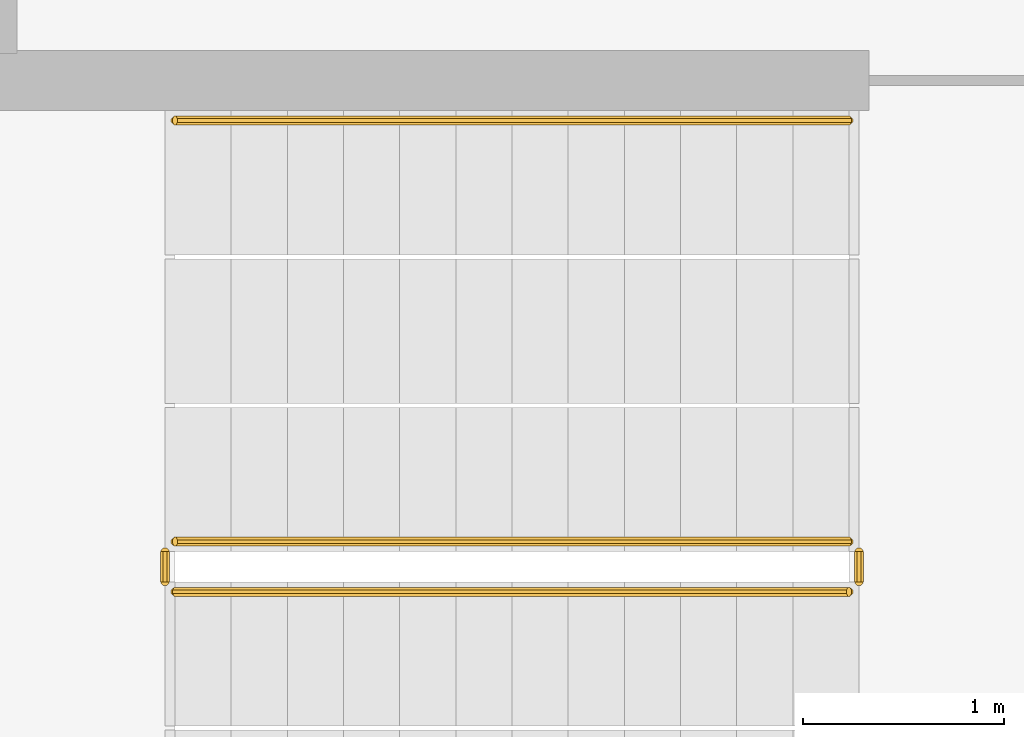
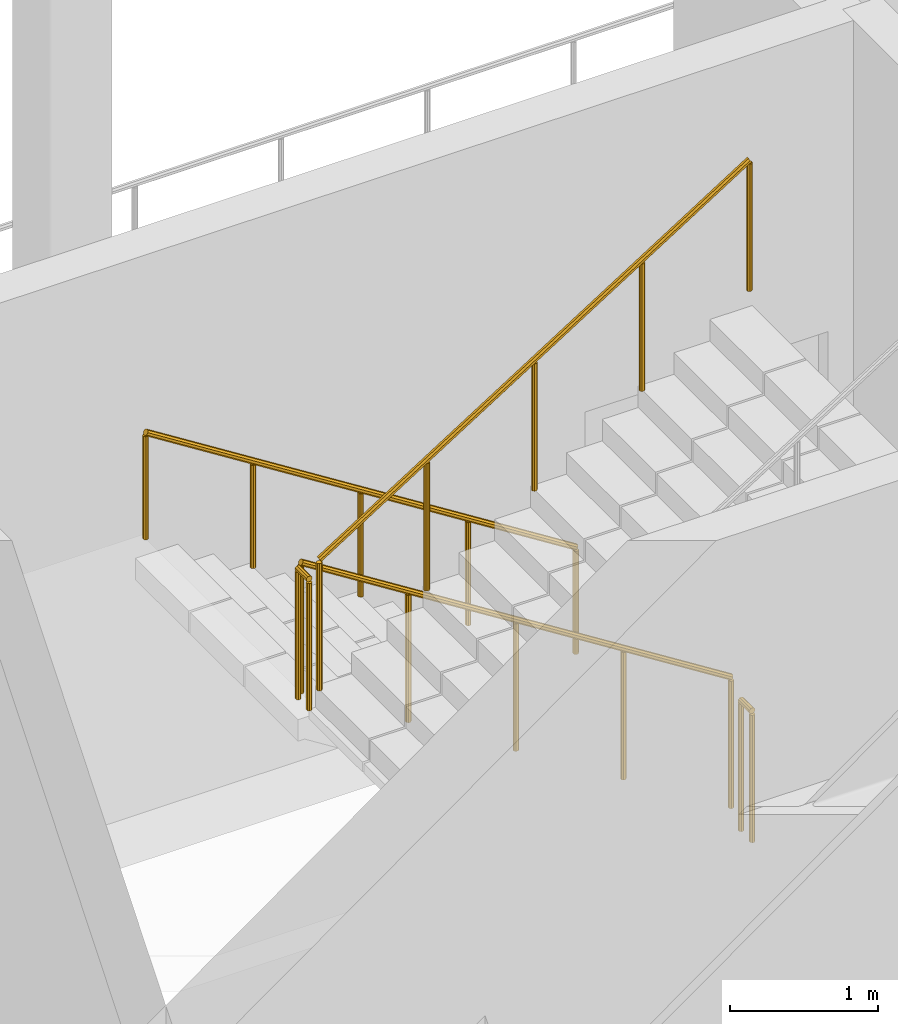
# One storey, part 23 of 32: 5 railings.
"""IFC4 building model written with IfcOpenShell, lengths in metres."""

from ifc_helpers import new_model, si_unit, direction, frame, origin, place, context, subcontext, project, spatial, polyline, outline, extrude, material, type_object, element, save


model = new_model("IFC4")

# Units and contexts
model_context = context("Model", 3, precision=1e-05, world=origin(), true_north=direction((0.0, 1.0)))
body_context = subcontext(model_context, "Body", "Model", "MODEL_VIEW")
ifc_project = project(units=[si_unit("LENGTHUNIT", "METRE"), si_unit("AREAUNIT", "SQUARE_METRE"), si_unit("VOLUMEUNIT", "CUBIC_METRE"), si_unit("PLANEANGLEUNIT", "RADIAN"), si_unit("MASSUNIT", "GRAM", prefix="KILO")], contexts=[model_context])

# Site, building, storey
site_placement = place(None, origin())
site = spatial("IfcSite", under=ifc_project, at=site_placement, CompositionType="ELEMENT")
building_placement = place(site_placement, origin())
building = spatial("IfcBuilding", under=site, at=building_placement, Name="Cormorant Relay Tower", CompositionType="ELEMENT")
storey_placement = place(building_placement, frame((0.0, 0.0, 75.39990234375)))
storey = spatial("IfcBuildingStorey", under=building, at=storey_placement, Name="L14", CompositionType="ELEMENT", Elevation=75.39990234375)

# Railings
ifc_material_1 = material(Name="Steel ASTM A572 Grade 50 (Fy 345 MPa)", Category="steel")
railing_type_1 = type_object("IfcRailingType", Name="Stair guard 1100", PredefinedType="GUARDRAIL", material=ifc_material_1)
railing_1_placement = place(storey_placement, frame((1.60009765625, -18.27490234375, 0.177001953125)))
element("IfcRailing", 1, at=railing_1_placement, inside=storey, type_object=railing_type_1, Name="L14 RK1 stair guard 1", PredefinedType="GUARDRAIL", context=body_context, shape_type="SweptSolid", body=[
    extrude(outline(polyline([(0.022216796875, 0.00927734375), (0.00927734375, 0.022216796875), (-0.00927734375, 0.022216796875), (-0.022216796875, 0.00927734375), (-0.022216796875, -0.00927734375), (-0.00927734375, -0.022216796875), (0.00927734375, -0.022216796875), (0.022216796875, -0.00927734375), (0.022216796875, 0.00927734375)])), frame((0.0, 0.0, 1.076171875), z_axis=(-0.845389635667, 0.0, 0.534150132366), x_axis=(0.0, -1.0, 0.0)), (0.0, 0.0, 1.0), 3.974609375),
    extrude(outline(polyline([(0.019287109375, 0.008056640625), (0.008056640625, 0.019287109375), (-0.008056640625, 0.019287109375), (-0.019287109375, 0.008056640625), (-0.019287109375, -0.008056640625), (-0.008056640625, -0.019287109375), (0.008056640625, -0.019287109375), (0.019287109375, -0.008056640625), (0.019287109375, 0.008056640625)])), origin(), (0.0, 0.0, 1.0), 1.052001953125),
    extrude(outline(polyline([(0.019287109375, 0.008056640625), (0.008056640625, 0.019287109375), (-0.008056640625, 0.019287109375), (-0.019287109375, 0.008056640625), (-0.019287109375, -0.008056640625), (-0.008056640625, -0.019287109375), (0.008056640625, -0.019287109375), (0.019287109375, -0.008056640625), (0.019287109375, 0.008056640625)])), frame((-0.840087890625, 0.0, 0.53076171875)), (0.0, 0.0, 1.0), 1.052001953125),
    extrude(outline(polyline([(0.019287109375, 0.008056640625), (0.008056640625, 0.019287109375), (-0.008056640625, 0.019287109375), (-0.019287109375, 0.008056640625), (-0.019287109375, -0.008056640625), (-0.008056640625, -0.019287109375), (0.008056640625, -0.019287109375), (0.019287109375, -0.008056640625), (0.019287109375, 0.008056640625)])), frame((-1.68017578125, 0.0, 1.0615234375)), (0.0, 0.0, 1.0), 1.052001953125),
    extrude(outline(polyline([(0.019287109375, 0.008056640625), (0.008056640625, 0.019287109375), (-0.008056640625, 0.019287109375), (-0.019287109375, 0.008056640625), (-0.019287109375, -0.008056640625), (-0.008056640625, -0.019287109375), (0.008056640625, -0.019287109375), (0.019287109375, -0.008056640625), (0.019287109375, 0.008056640625)])), frame((-2.52001953125, 0.0, 1.59228515625)), (0.0, 0.0, 1.0), 1.052001953125),
    extrude(outline(polyline([(0.019287109375, 0.008056640625), (0.008056640625, 0.019287109375), (-0.008056640625, 0.019287109375), (-0.019287109375, 0.008056640625), (-0.019287109375, -0.008056640625), (-0.008056640625, -0.019287109375), (0.008056640625, -0.019287109375), (0.019287109375, -0.008056640625), (0.019287109375, 0.008056640625)])), frame((-3.360107421875, 0.0, 2.123046875)), (0.0, 0.0, 1.0), 1.052001953125),
])
railing_2_placement = place(storey_placement, frame((-1.81005859375, -18.324951171875, 2.300048828125)))
element("IfcRailing", 2, at=railing_2_placement, inside=storey, type_object=railing_type_1, Name="L14 RK1 stair guard 2", PredefinedType="GUARDRAIL", context=body_context, shape_type="SweptSolid", body=[
    extrude(outline(polyline([(0.022216796875, 0.00927734375), (0.00927734375, 0.022216796875), (-0.00927734375, 0.022216796875), (-0.022216796875, 0.00927734375), (-0.022216796875, -0.00927734375), (-0.00927734375, -0.022216796875), (0.00927734375, -0.022216796875), (0.022216796875, -0.00927734375), (0.022216796875, 0.00927734375)])), frame((0.0, 0.0, 1.076171875), z_axis=(0.0, -1.0, 0.0), x_axis=(1.0, 0.0, 0.0)), (0.0, 0.0, 1.0), 0.150146484375),
    extrude(outline(polyline([(0.019287109375, 0.008056640625), (0.008056640625, 0.019287109375), (-0.008056640625, 0.019287109375), (-0.019287109375, 0.008056640625), (-0.019287109375, -0.008056640625), (-0.008056640625, -0.019287109375), (0.008056640625, -0.019287109375), (0.019287109375, -0.008056640625), (0.019287109375, 0.008056640625)])), origin(), (0.0, 0.0, 1.0), 1.052001953125),
    extrude(outline(polyline([(0.019287109375, 0.008056640625), (0.008056640625, 0.019287109375), (-0.008056640625, 0.019287109375), (-0.019287109375, 0.008056640625), (-0.019287109375, -0.008056640625), (-0.008056640625, -0.019287109375), (0.008056640625, -0.019287109375), (0.019287109375, -0.008056640625), (0.019287109375, 0.008056640625)])), frame((0.0, -0.150146484375, 0.0)), (0.0, 0.0, 1.0), 1.052001953125),
])
railing_3_placement = place(storey_placement, frame((-1.760009765625, -18.52490234375, 2.47705078125)))
element("IfcRailing", 3, at=railing_3_placement, inside=storey, type_object=railing_type_1, Name="L14 RK1 stair guard 3", PredefinedType="GUARDRAIL", context=body_context, shape_type="SweptSolid", body=[
    extrude(outline(polyline([(0.022216796875, 0.00927734375), (0.00927734375, 0.022216796875), (-0.00927734375, 0.022216796875), (-0.022216796875, 0.00927734375), (-0.022216796875, -0.00927734375), (-0.00927734375, -0.022216796875), (0.00927734375, -0.022216796875), (0.022216796875, -0.00927734375), (0.022216796875, 0.00927734375)])), frame((0.0, 0.0, 1.076171875), z_axis=(0.845389635667, 0.0, 0.534150132366), x_axis=(0.0, 1.0, 0.0)), (0.0, 0.0, 1.0), 3.974609375),
    extrude(outline(polyline([(0.019287109375, 0.008056640625), (0.008056640625, 0.019287109375), (-0.008056640625, 0.019287109375), (-0.019287109375, 0.008056640625), (-0.019287109375, -0.008056640625), (-0.008056640625, -0.019287109375), (0.008056640625, -0.019287109375), (0.019287109375, -0.008056640625), (0.019287109375, 0.008056640625)])), origin(), (0.0, 0.0, 1.0), 1.052001953125),
    extrude(outline(polyline([(0.019287109375, 0.008056640625), (0.008056640625, 0.019287109375), (-0.008056640625, 0.019287109375), (-0.019287109375, 0.008056640625), (-0.019287109375, -0.008056640625), (-0.008056640625, -0.019287109375), (0.008056640625, -0.019287109375), (0.019287109375, -0.008056640625), (0.019287109375, 0.008056640625)])), frame((0.840087890625, 0.0, 0.53076171875)), (0.0, 0.0, 1.0), 1.052001953125),
    extrude(outline(polyline([(0.019287109375, 0.008056640625), (0.008056640625, 0.019287109375), (-0.008056640625, 0.019287109375), (-0.019287109375, 0.008056640625), (-0.019287109375, -0.008056640625), (-0.008056640625, -0.019287109375), (0.008056640625, -0.019287109375), (0.019287109375, -0.008056640625), (0.019287109375, 0.008056640625)])), frame((1.68017578125, 0.0, 1.0615234375)), (0.0, 0.0, 1.0), 1.052001953125),
    extrude(outline(polyline([(0.019287109375, 0.008056640625), (0.008056640625, 0.019287109375), (-0.008056640625, 0.019287109375), (-0.019287109375, 0.008056640625), (-0.019287109375, -0.008056640625), (-0.008056640625, -0.019287109375), (0.008056640625, -0.019287109375), (0.019287109375, -0.008056640625), (0.019287109375, 0.008056640625)])), frame((2.52001953125, 0.0, 1.59228515625)), (0.0, 0.0, 1.0), 1.052001953125),
    extrude(outline(polyline([(0.019287109375, 0.008056640625), (0.008056640625, 0.019287109375), (-0.008056640625, 0.019287109375), (-0.019287109375, 0.008056640625), (-0.019287109375, -0.008056640625), (-0.008056640625, -0.019287109375), (0.008056640625, -0.019287109375), (0.019287109375, -0.008056640625), (0.019287109375, 0.008056640625)])), frame((3.360107421875, 0.0, 2.123046875)), (0.0, 0.0, 1.0), 1.052001953125),
])
railing_4_placement = place(storey_placement, frame((1.64990234375, -18.324951171875, 0.0)))
element("IfcRailing", 4, at=railing_4_placement, inside=storey, type_object=railing_type_1, Name="L14 RK1 stair guard 4", PredefinedType="GUARDRAIL", context=body_context, shape_type="SweptSolid", body=[
    extrude(outline(polyline([(0.022216796875, 0.00927734375), (0.00927734375, 0.022216796875), (-0.00927734375, 0.022216796875), (-0.022216796875, 0.00927734375), (-0.022216796875, -0.00927734375), (-0.00927734375, -0.022216796875), (0.00927734375, -0.022216796875), (0.022216796875, -0.00927734375), (0.022216796875, 0.00927734375)])), frame((0.0, 0.0, 1.076171875), z_axis=(0.0, -1.0, 0.0), x_axis=(1.0, 0.0, 0.0)), (0.0, 0.0, 1.0), 0.150146484375),
    extrude(outline(polyline([(0.019287109375, 0.008056640625), (0.008056640625, 0.019287109375), (-0.008056640625, 0.019287109375), (-0.019287109375, 0.008056640625), (-0.019287109375, -0.008056640625), (-0.008056640625, -0.019287109375), (0.008056640625, -0.019287109375), (0.019287109375, -0.008056640625), (0.019287109375, 0.008056640625)])), origin(), (0.0, 0.0, 1.0), 1.052001953125),
    extrude(outline(polyline([(0.019287109375, 0.008056640625), (0.008056640625, 0.019287109375), (-0.008056640625, 0.019287109375), (-0.019287109375, 0.008056640625), (-0.019287109375, -0.008056640625), (-0.008056640625, -0.019287109375), (0.008056640625, -0.019287109375), (0.019287109375, -0.008056640625), (0.019287109375, 0.008056640625)])), frame((0.0, -0.150146484375, 0.0)), (0.0, 0.0, 1.0), 1.052001953125),
])
ifc_material_2 = material(Name="Steel ASTM A572 Grade 50 (Fy 345 MPa)", Category="steel")
railing_type_2 = type_object("IfcRailingType", Name="Stair handrail 900", PredefinedType="HANDRAIL", material=ifc_material_2)
railing_5_placement = place(storey_placement, frame((1.60009765625, -16.175048828125, 0.177001953125)))
element("IfcRailing", 5, at=railing_5_placement, inside=storey, type_object=railing_type_2, Name="L14 RK1 stair handrail 1", PredefinedType="HANDRAIL", context=body_context, shape_type="SweptSolid", body=[
    extrude(outline(polyline([(0.022216796875, 0.00927734375), (0.00927734375, 0.022216796875), (-0.00927734375, 0.022216796875), (-0.022216796875, 0.00927734375), (-0.022216796875, -0.00927734375), (-0.00927734375, -0.022216796875), (0.00927734375, -0.022216796875), (0.022216796875, -0.00927734375), (0.022216796875, 0.00927734375)])), frame((0.0, 0.0, 0.8759765625), z_axis=(-0.845389635667, 0.0, 0.534150132366), x_axis=(0.0, -1.0, 0.0)), (0.0, 0.0, 1.0), 3.974609375),
    extrude(outline(polyline([(0.019287109375, 0.008056640625), (0.008056640625, 0.019287109375), (-0.008056640625, 0.019287109375), (-0.019287109375, 0.008056640625), (-0.019287109375, -0.008056640625), (-0.008056640625, -0.019287109375), (0.008056640625, -0.019287109375), (0.019287109375, -0.008056640625), (0.019287109375, 0.008056640625)])), origin(), (0.0, 0.0, 1.0), 0.851806640625),
    extrude(outline(polyline([(0.019287109375, 0.008056640625), (0.008056640625, 0.019287109375), (-0.008056640625, 0.019287109375), (-0.019287109375, 0.008056640625), (-0.019287109375, -0.008056640625), (-0.008056640625, -0.019287109375), (0.008056640625, -0.019287109375), (0.019287109375, -0.008056640625), (0.019287109375, 0.008056640625)])), frame((-0.840087890625, 0.0, 0.53076171875)), (0.0, 0.0, 1.0), 0.851806640625),
    extrude(outline(polyline([(0.019287109375, 0.008056640625), (0.008056640625, 0.019287109375), (-0.008056640625, 0.019287109375), (-0.019287109375, 0.008056640625), (-0.019287109375, -0.008056640625), (-0.008056640625, -0.019287109375), (0.008056640625, -0.019287109375), (0.019287109375, -0.008056640625), (0.019287109375, 0.008056640625)])), frame((-1.68017578125, 0.0, 1.0615234375)), (0.0, 0.0, 1.0), 0.851806640625),
    extrude(outline(polyline([(0.019287109375, 0.008056640625), (0.008056640625, 0.019287109375), (-0.008056640625, 0.019287109375), (-0.019287109375, 0.008056640625), (-0.019287109375, -0.008056640625), (-0.008056640625, -0.019287109375), (0.008056640625, -0.019287109375), (0.019287109375, -0.008056640625), (0.019287109375, 0.008056640625)])), frame((-2.52001953125, 0.0, 1.59228515625)), (0.0, 0.0, 1.0), 0.851806640625),
    extrude(outline(polyline([(0.019287109375, 0.008056640625), (0.008056640625, 0.019287109375), (-0.008056640625, 0.019287109375), (-0.019287109375, 0.008056640625), (-0.019287109375, -0.008056640625), (-0.008056640625, -0.019287109375), (0.008056640625, -0.019287109375), (0.019287109375, -0.008056640625), (0.019287109375, 0.008056640625)])), frame((-3.360107421875, 0.0, 2.123046875)), (0.0, 0.0, 1.0), 0.851806640625),
])

save(model, "model.ifc")
